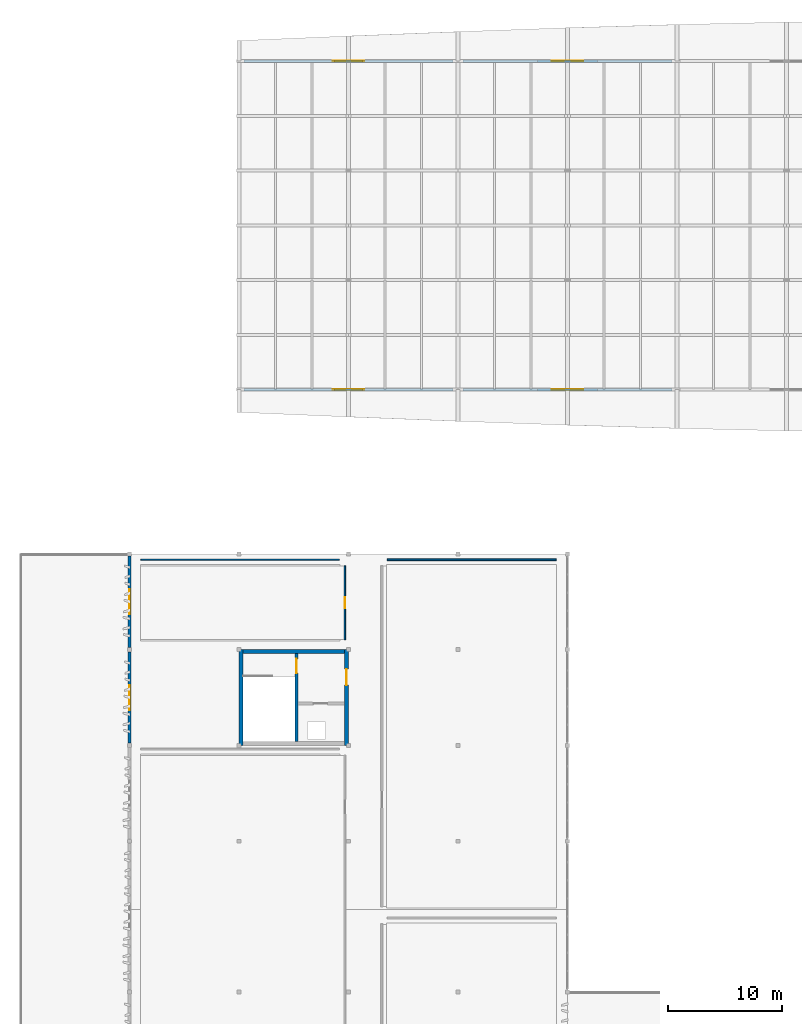
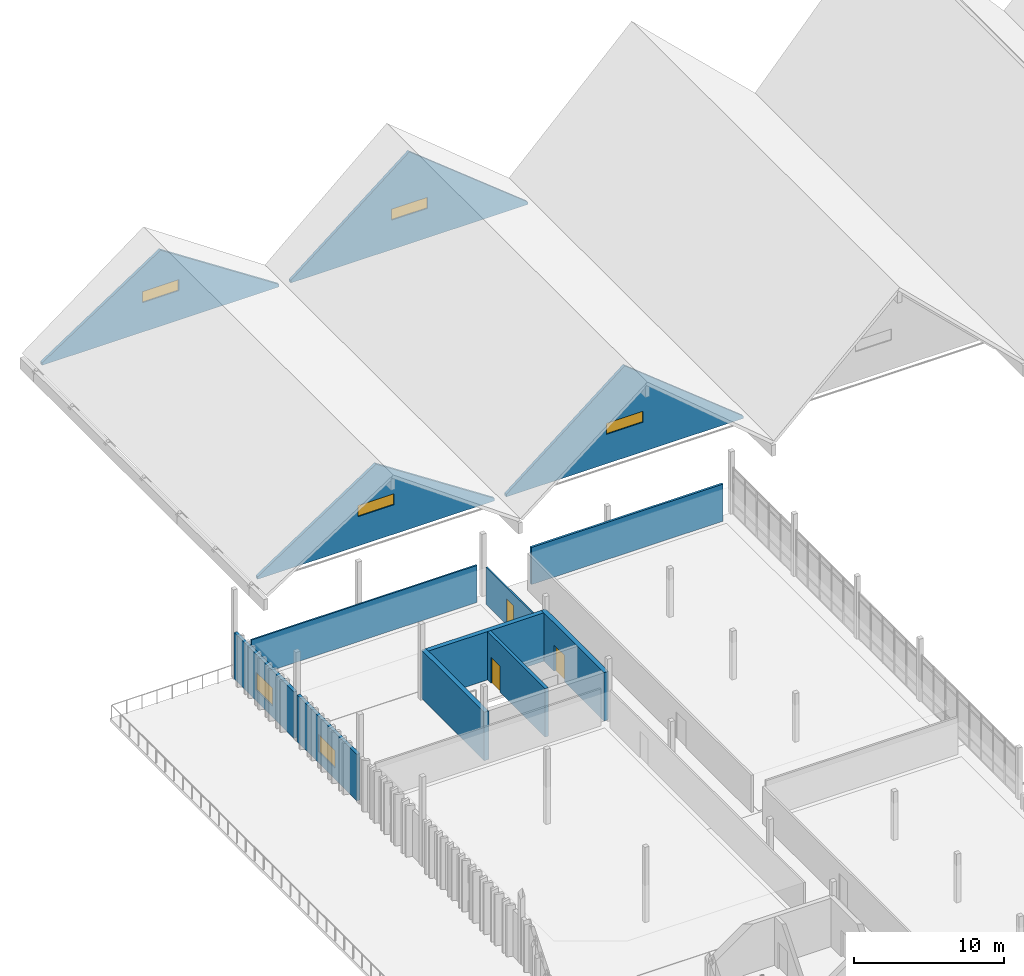
# One storey, part 33 of 42: 13 walls, 6 windows, 3 doors, 9 openings.
"""IFC4 building model written with IfcOpenShell, lengths in metres."""

from ifc_helpers import new_model, si_unit, direction, frame, frame_2d, origin, place, context, subcontext, project, spatial, polyline, rectangle, outline, extrude, material, layer, layer_set, type_object, element, fill, save


model = new_model("IFC4")

# Units and contexts
model_context = context("Model", 3, precision=1e-05, world=origin(), true_north=direction((0.0, 1.0)))
body_context = subcontext(model_context, "Body", "Model", "MODEL_VIEW")
ifc_project = project(units=[si_unit("LENGTHUNIT", "METRE"), si_unit("AREAUNIT", "SQUARE_METRE"), si_unit("VOLUMEUNIT", "CUBIC_METRE"), si_unit("PLANEANGLEUNIT", "RADIAN"), si_unit("MASSUNIT", "GRAM", prefix="KILO")], contexts=[model_context])

# Site, building, storey
site_placement = place(None, origin())
site = spatial("IfcSite", under=ifc_project, at=site_placement, CompositionType="ELEMENT")
building_placement = place(site_placement, origin())
building = spatial("IfcBuilding", under=site, at=building_placement, Name="Kolvemor Railside Polytechnic", CompositionType="ELEMENT")
storey_placement = place(building_placement, frame((0.0, 0.0, 14.39990234375)))
storey = spatial("IfcBuildingStorey", under=building, at=storey_placement, Name="L03", CompositionType="ELEMENT", Elevation=14.39990234375)

# Walls
ifc_material_1 = material(Name="Concrete C40/50", Category="concrete")
ifc_layer_1 = layer(ifc_material_1, 0.35009765625, Name="WL-CORE-350")
ifc_layer_set_1 = layer_set([ifc_layer_1], Name="Concrete C40/50")
wall_type_1 = type_object("IfcWallType", Name="WL-CORE-350", PredefinedType="SHEAR", material=ifc_layer_set_1)
wall_1_placement = place(storey_placement, frame((19.199951171875, 68.22509765625, 0.0), z_axis=(0.0, 0.0, 1.0), x_axis=(1.0, 0.0, 0.0)))
element("IfcWall", 1, at=wall_1_placement, inside=storey, type_object=wall_type_1, Name="CORE-5 North Core Wall L03", PredefinedType="SHEAR", context=body_context, shape_type="SweptSolid", body=[
    extrude(rectangle(XDim=9.60009765625, YDim=0.35009765625, at=frame_2d((4.800048828125, 0.0))), origin(), (0.0, 0.0, 1.0), 3.9501953125),
])
wall_2_placement = place(storey_placement, frame((19.375, 60.0, 0.0), z_axis=(0.0, 0.0, 1.0), x_axis=(0.0, 1.0, 0.0)))
element("IfcWall", 2, at=wall_2_placement, inside=storey, type_object=wall_type_1, Name="CORE-5 West Core Wall L03", PredefinedType="SHEAR", context=body_context, shape_type="SweptSolid", body=[
    extrude(rectangle(XDim=8.39990234375, YDim=0.35009765625, at=frame_2d((4.199951171875, 0.0))), origin(), (0.0, 0.0, 1.0), 3.9501953125),
])

# Wall, opening, door
wall_3_placement = place(storey_placement, frame((28.625, 60.0, 0.0), z_axis=(0.0, 0.0, 1.0), x_axis=(0.0, 1.0, 0.0)))
wall_3 = element("IfcWall", 3, at=wall_3_placement, inside=storey, type_object=wall_type_1, Name="CORE-5 East Core Wall L03", PredefinedType="SHEAR", context=body_context, shape_type="SweptSolid", body=[
    extrude(rectangle(XDim=8.39990234375, YDim=0.35009765625, at=frame_2d((4.199951171875, 0.0))), origin(), (0.0, 0.0, 1.0), 3.9501953125),
])
opening_1_placement = place(wall_3_placement, frame((5.300048828125, 0.0, 0.0)))
opening_1 = element("IfcOpeningElement", 4, at=opening_1_placement, cuts=wall_3, Name="Opening D-LOB-5-L03", PredefinedType="OPENING", context=body_context, shape_type="SweptSolid", body=[
    extrude(rectangle(XDim=1.39990234375, YDim=2.14990234375, at=frame_2d((0.699951171875, 1.074951171875))), frame((0.0, 0.18505859375, 0.0), z_axis=(0.0, -1.0, 0.0), x_axis=(1.0, 0.0, 0.0)), (0.0, 0.0, 1.0), 0.3701171875),
])
ifc_material_2 = material(Name="Fire-rated hardwood and brushed stainless-steel door", Category="steel")
door_type_1 = type_object("IfcDoorType", Name="DR-FD60-140x215", OperationType="NOTDEFINED", PredefinedType="DOOR", material=ifc_material_2)
door_1_placement = place(opening_1_placement, origin())
door_1 = element("IfcDoor", 5, at=door_1_placement, inside=storey, type_object=door_type_1, Name="Core Lobby Fire Door CORE-5 L03", OperationType="SINGLE_SWING_RIGHT", OverallHeight=2.14990234375, OverallWidth=1.39990234375, PredefinedType="DOOR", context=body_context, shape_type="SweptSolid", body=[
    extrude(rectangle(XDim=1.39990234375, YDim=2.14990234375, at=frame_2d((0.699951171875, 1.074951171875))), frame((0.0, 0.02490234375, 0.0), z_axis=(0.0, -1.0, 0.0), x_axis=(1.0, 0.0, 0.0)), (0.0, 0.0, 1.0), 0.050048828125),
])
fill(opening_1, door_1)

# Wall, opening, window
ifc_material_3 = material(Name="Cross-laminated timber CLT E1", Category="wood")
ifc_layer_2 = layer(ifc_material_3, 0.22998046875, Name="WL-EXT-GABLE")
ifc_layer_set_2 = layer_set([ifc_layer_2], Name="Cross-laminated timber CLT E1")
wall_type_2 = type_object("IfcWallType", Name="WL-EXT-GABLE", PredefinedType="SOLIDWALL", material=ifc_layer_set_2)
wall_4_placement = place(storey_placement, frame((19.64990234375, 120.0, -4.199951171875), z_axis=(0.0, 0.0, 1.0), x_axis=(1.0, 0.0, 0.0)))
wall_4 = element("IfcWall", 6, at=wall_4_placement, inside=storey, type_object=wall_type_2, Name="Folded-Plate Gable Clerestory Wall N-1", PredefinedType="SOLIDWALL", context=body_context, shape_type="SweptSolid", body=[
    extrude(outline(polyline([(0.0, 0.0), (18.300048828125, 0.0), (18.300048828125, 0.199951171875), (9.14990234375, 6.199951171875), (0.0, 0.199951171875), (0.0, 0.0)])), frame((0.0, 0.114990234375, 0.0), z_axis=(0.0, -1.0, 0.0), x_axis=(1.0, 0.0, 0.0)), (0.0, 0.0, 1.0), 0.22998046875),
])
opening_2_placement = place(wall_4_placement, frame((7.75, 0.0, 2.39990234375)))
opening_2 = element("IfcOpeningElement", 7, at=opening_2_placement, cuts=wall_4, Name="Opening WN-CLR2", PredefinedType="OPENING", context=body_context, shape_type="SweptSolid", body=[
    extrude(rectangle(XDim=2.800048828125, YDim=0.89990234375, at=frame_2d((1.39990234375, 0.449951171875))), frame((0.0, 0.125, 0.0), z_axis=(0.0, -1.0, 0.0), x_axis=(1.0, 0.0, 0.0)), (0.0, 0.0, 1.0), 0.25),
])
ifc_material_4 = material(Name="Hurricane-laminated thermally broken aluminium window", Category="aluminium")
window_type_1 = type_object("IfcWindowType", Name="WN-CLR-280x090", PartitioningType="DOUBLE_PANEL_VERTICAL", PredefinedType="WINDOW", material=ifc_material_4)
window_1_placement = place(opening_2_placement, origin())
window_1 = element("IfcWindow", 8, at=window_1_placement, inside=storey, type_object=window_type_1, Name="Folded-Plate Gable Clerestory Window N-1", OverallHeight=0.89990234375, OverallWidth=2.800048828125, PartitioningType="SINGLE_PANEL", PredefinedType="WINDOW", context=body_context, shape_type="SweptSolid", body=[
    extrude(rectangle(XDim=2.800048828125, YDim=0.89990234375, at=frame_2d((1.39990234375, 0.449951171875))), frame((0.0, 0.030029296875, 0.0), z_axis=(0.0, -1.0, 0.0), x_axis=(1.0, 0.0, 0.0)), (0.0, 0.0, 1.0), 0.06005859375),
])
fill(opening_2, window_1)

wall_5_placement = place(storey_placement, frame((19.64990234375, 91.199951171875, -4.199951171875), z_axis=(0.0, 0.0, 1.0), x_axis=(1.0, 0.0, 0.0)))
wall_5 = element("IfcWall", 9, at=wall_5_placement, inside=storey, type_object=wall_type_2, Name="Folded-Plate Gable Clerestory Wall S-1", PredefinedType="SOLIDWALL", context=body_context, shape_type="SweptSolid", body=[
    extrude(outline(polyline([(0.0, 0.0), (18.300048828125, 0.0), (18.300048828125, 0.199951171875), (9.14990234375, 6.199951171875), (0.0, 0.199951171875), (0.0, 0.0)])), frame((0.0, 0.114990234375, 0.0), z_axis=(0.0, -1.0, 0.0), x_axis=(1.0, 0.0, 0.0)), (0.0, 0.0, 1.0), 0.22998046875),
])
opening_3_placement = place(wall_5_placement, frame((7.75, 0.0, 2.39990234375)))
opening_3 = element("IfcOpeningElement", 10, at=opening_3_placement, cuts=wall_5, Name="Opening WN-CLR2", PredefinedType="OPENING", context=body_context, shape_type="SweptSolid", body=[
    extrude(rectangle(XDim=2.800048828125, YDim=0.89990234375, at=frame_2d((1.39990234375, 0.449951171875))), frame((0.0, 0.125, 0.0), z_axis=(0.0, -1.0, 0.0), x_axis=(1.0, 0.0, 0.0)), (0.0, 0.0, 1.0), 0.25),
])
window_2_placement = place(opening_3_placement, origin())
window_2 = element("IfcWindow", 11, at=window_2_placement, inside=storey, type_object=window_type_1, Name="Folded-Plate Gable Clerestory Window S-1", OverallHeight=0.89990234375, OverallWidth=2.800048828125, PartitioningType="SINGLE_PANEL", PredefinedType="WINDOW", context=body_context, shape_type="SweptSolid", body=[
    extrude(rectangle(XDim=2.800048828125, YDim=0.89990234375, at=frame_2d((1.39990234375, 0.449951171875))), frame((0.0, 0.030029296875, 0.0), z_axis=(0.0, -1.0, 0.0), x_axis=(1.0, 0.0, 0.0)), (0.0, 0.0, 1.0), 0.06005859375),
])
fill(opening_3, window_2)

wall_6_placement = place(storey_placement, frame((38.85009765625, 120.0, -4.199951171875), z_axis=(0.0, 0.0, 1.0), x_axis=(1.0, 0.0, 0.0)))
wall_6 = element("IfcWall", 12, at=wall_6_placement, inside=storey, type_object=wall_type_2, Name="Folded-Plate Gable Clerestory Wall N-2", PredefinedType="SOLIDWALL", context=body_context, shape_type="SweptSolid", body=[
    extrude(outline(polyline([(0.0, 0.0), (18.2998046875, 0.0), (18.300048828125, 0.199951171875), (9.14990234375, 7.5), (0.0, 0.199951171875), (0.0, 0.0)])), frame((0.0, 0.114990234375, 0.0), z_axis=(0.0, -1.0, 0.0), x_axis=(1.0, 0.0, 0.0)), (0.0, 0.0, 1.0), 0.22998046875),
])
opening_4_placement = place(wall_6_placement, frame((7.75, 0.0, 2.39990234375)))
opening_4 = element("IfcOpeningElement", 13, at=opening_4_placement, cuts=wall_6, Name="Opening WN-CLR2", PredefinedType="OPENING", context=body_context, shape_type="SweptSolid", body=[
    extrude(rectangle(XDim=2.800048828125, YDim=0.89990234375, at=frame_2d((1.39990234375, 0.449951171875))), frame((0.0, 0.125, 0.0), z_axis=(0.0, -1.0, 0.0), x_axis=(1.0, 0.0, 0.0)), (0.0, 0.0, 1.0), 0.25),
])
window_3_placement = place(opening_4_placement, origin())
window_3 = element("IfcWindow", 14, at=window_3_placement, inside=storey, type_object=window_type_1, Name="Folded-Plate Gable Clerestory Window N-2", OverallHeight=0.89990234375, OverallWidth=2.800048828125, PartitioningType="SINGLE_PANEL", PredefinedType="WINDOW", context=body_context, shape_type="SweptSolid", body=[
    extrude(rectangle(XDim=2.800048828125, YDim=0.89990234375, at=frame_2d((1.39990234375, 0.449951171875))), frame((0.0, 0.030029296875, 0.0), z_axis=(0.0, -1.0, 0.0), x_axis=(1.0, 0.0, 0.0)), (0.0, 0.0, 1.0), 0.06005859375),
])
fill(opening_4, window_3)

wall_7_placement = place(storey_placement, frame((38.85009765625, 91.199951171875, -4.199951171875), z_axis=(0.0, 0.0, 1.0), x_axis=(1.0, 0.0, 0.0)))
wall_7 = element("IfcWall", 15, at=wall_7_placement, inside=storey, type_object=wall_type_2, Name="Folded-Plate Gable Clerestory Wall S-2", PredefinedType="SOLIDWALL", context=body_context, shape_type="SweptSolid", body=[
    extrude(outline(polyline([(0.0, 0.0), (18.2998046875, 0.0), (18.300048828125, 0.199951171875), (9.14990234375, 7.5), (0.0, 0.199951171875), (0.0, 0.0)])), frame((0.0, 0.114990234375, 0.0), z_axis=(0.0, -1.0, 0.0), x_axis=(1.0, 0.0, 0.0)), (0.0, 0.0, 1.0), 0.22998046875),
])
opening_5_placement = place(wall_7_placement, frame((7.75, 0.0, 2.39990234375)))
opening_5 = element("IfcOpeningElement", 16, at=opening_5_placement, cuts=wall_7, Name="Opening WN-CLR2", PredefinedType="OPENING", context=body_context, shape_type="SweptSolid", body=[
    extrude(rectangle(XDim=2.800048828125, YDim=0.89990234375, at=frame_2d((1.39990234375, 0.449951171875))), frame((0.0, 0.125, 0.0), z_axis=(0.0, -1.0, 0.0), x_axis=(1.0, 0.0, 0.0)), (0.0, 0.0, 1.0), 0.25),
])
window_4_placement = place(opening_5_placement, origin())
window_4 = element("IfcWindow", 17, at=window_4_placement, inside=storey, type_object=window_type_1, Name="Folded-Plate Gable Clerestory Window S-2", OverallHeight=0.89990234375, OverallWidth=2.800048828125, PartitioningType="SINGLE_PANEL", PredefinedType="WINDOW", context=body_context, shape_type="SweptSolid", body=[
    extrude(rectangle(XDim=2.800048828125, YDim=0.89990234375, at=frame_2d((1.39990234375, 0.449951171875))), frame((0.0, 0.030029296875, 0.0), z_axis=(0.0, -1.0, 0.0), x_axis=(1.0, 0.0, 0.0)), (0.0, 0.0, 1.0), 0.06005859375),
])
fill(opening_5, window_4)

ifc_material_5 = material(Name="Cross-laminated timber CLT E1", Category="wood")
ifc_layer_3 = layer(ifc_material_5, 0.239990234375, Name="WL-EXT-TM-240")
ifc_layer_set_3 = layer_set([ifc_layer_3], Name="Cross-laminated timber CLT E1")
wall_type_3 = type_object("IfcWallType", Name="WL-EXT-TM-240", PredefinedType="SOLIDWALL", material=ifc_layer_set_3)
wall_8_placement = place(storey_placement, frame((9.60009765625, 68.199951171875, 0.0), z_axis=(0.0, 0.0, 1.0), x_axis=(0.0, -1.0, 0.0)))
wall_8 = element("IfcWall", 18, at=wall_8_placement, inside=storey, type_object=wall_type_3, Name="Exterior Wall L03-0070", PredefinedType="SOLIDWALL", context=body_context, shape_type="SweptSolid", body=[
    extrude(rectangle(XDim=8.0, YDim=0.239990234375, at=frame_2d((4.0, 0.0))), origin(), (0.0, 0.0, 1.0), 3.800048828125),
])
opening_6_placement = place(wall_8_placement, frame((2.89990234375, 0.0, 0.89990234375)))
opening_6 = element("IfcOpeningElement", 19, at=opening_6_placement, cuts=wall_8, Name="Opening WN-SEM3", PredefinedType="OPENING", context=body_context, shape_type="SweptSolid", body=[
    extrude(rectangle(XDim=2.199951171875, YDim=1.449951171875, at=frame_2d((1.10009765625, 0.72509765625))), frame((0.0, 0.1298828125, 0.0), z_axis=(0.0, -1.0, 0.0), x_axis=(1.0, 0.0, 0.0)), (0.0, 0.0, 1.0), 0.260009765625),
])
ifc_material_6 = material(Name="Hurricane-laminated thermally broken aluminium window", Category="aluminium")
window_type_2 = type_object("IfcWindowType", Name="WN-SEM-220x145", PartitioningType="DOUBLE_PANEL_VERTICAL", PredefinedType="WINDOW", material=ifc_material_6)
window_5_placement = place(opening_6_placement, origin())
window_5 = element("IfcWindow", 20, at=window_5_placement, inside=storey, type_object=window_type_2, Name="Window L03-0072", OverallHeight=1.449951171875, OverallWidth=2.199951171875, PartitioningType="SINGLE_PANEL", PredefinedType="WINDOW", context=body_context, shape_type="SweptSolid", body=[
    extrude(rectangle(XDim=2.199951171875, YDim=1.449951171875, at=frame_2d((1.10009765625, 0.72509765625))), frame((0.0, 0.030029296875, 0.0), z_axis=(0.0, -1.0, 0.0), x_axis=(1.0, 0.0, 0.0)), (0.0, 0.0, 1.0), 0.06005859375),
])
fill(opening_6, window_5)

wall_9_placement = place(storey_placement, frame((9.60009765625, 76.60009765625, 0.0), z_axis=(0.0, 0.0, 1.0), x_axis=(0.0, -1.0, 0.0)))
wall_9 = element("IfcWall", 21, at=wall_9_placement, inside=storey, type_object=wall_type_3, Name="Exterior Wall L03-0077", PredefinedType="SOLIDWALL", context=body_context, shape_type="SweptSolid", body=[
    extrude(rectangle(XDim=8.0, YDim=0.239990234375, at=frame_2d((4.0, 0.0))), origin(), (0.0, 0.0, 1.0), 3.800048828125),
])
opening_7_placement = place(wall_9_placement, frame((2.89990234375, 0.0, 0.89990234375)))
opening_7 = element("IfcOpeningElement", 22, at=opening_7_placement, cuts=wall_9, Name="Opening WN-SEM3", PredefinedType="OPENING", context=body_context, shape_type="SweptSolid", body=[
    extrude(rectangle(XDim=2.199951171875, YDim=1.449951171875, at=frame_2d((1.10009765625, 0.72509765625))), frame((0.0, 0.1298828125, 0.0), z_axis=(0.0, -1.0, 0.0), x_axis=(1.0, 0.0, 0.0)), (0.0, 0.0, 1.0), 0.260009765625),
])
window_6_placement = place(opening_7_placement, origin())
window_6 = element("IfcWindow", 23, at=window_6_placement, inside=storey, type_object=window_type_2, Name="Window L03-0081", OverallHeight=1.449951171875, OverallWidth=2.199951171875, PartitioningType="SINGLE_PANEL", PredefinedType="WINDOW", context=body_context, shape_type="SweptSolid", body=[
    extrude(rectangle(XDim=2.199951171875, YDim=1.449951171875, at=frame_2d((1.10009765625, 0.72509765625))), frame((0.0, 0.030029296875, 0.0), z_axis=(0.0, -1.0, 0.0), x_axis=(1.0, 0.0, 0.0)), (0.0, 0.0, 1.0), 0.06005859375),
])
fill(opening_7, window_6)

# Wall, opening, door
ifc_material_7 = material(Name="Wet-area tile-backer partition")
ifc_layer_4 = layer(ifc_material_7, 0.1201171875, Name="WL-PART-120")
ifc_layer_set_4 = layer_set([ifc_layer_4], Name="Wet-area tile-backer partition")
wall_type_4 = type_object("IfcWallType", Name="WL-PART-120", PredefinedType="PARTITIONING", material=ifc_layer_set_4)
wall_10_placement = place(storey_placement, frame((28.47998046875, 69.25, 0.0), z_axis=(0.0, 0.0, 1.0), x_axis=(0.0, 1.0, 0.0)))
wall_10 = element("IfcWall", 24, at=wall_10_placement, inside=storey, type_object=wall_type_4, Name="Partition Wall L03-0174", PredefinedType="PARTITIONING", context=body_context, shape_type="SweptSolid", body=[
    extrude(rectangle(XDim=6.5, YDim=0.1201171875, at=frame_2d((3.25, 0.0))), origin(), (0.0, 0.0, 1.0), 3.030029296875),
])
opening_8_placement = place(wall_10_placement, frame((2.77490234375, 0.0, 0.0)))
opening_8 = element("IfcOpeningElement", 25, at=opening_8_placement, cuts=wall_10, Name="Opening D-03098", PredefinedType="OPENING", context=body_context, shape_type="SweptSolid", body=[
    extrude(rectangle(XDim=0.949951171875, YDim=2.10009765625, at=frame_2d((0.47509765625, 1.050048828125))), frame((0.0, 0.070068359375, 0.0), z_axis=(0.0, -1.0, 0.0), x_axis=(1.0, 0.0, 0.0)), (0.0, 0.0, 1.0), 0.14013671875),
])
ifc_material_8 = material(Name="Solid hardwood acoustic door", Category="wood")
door_type_2 = type_object("IfcDoorType", Name="DR-WC-095x210", OperationType="NOTDEFINED", PredefinedType="DOOR", material=ifc_material_8)
door_2_placement = place(opening_8_placement, origin())
door_2 = element("IfcDoor", 26, at=door_2_placement, inside=storey, type_object=door_type_2, Name="Room Door D-03098 (West Seminar Public and Accessible WC L03)", OperationType="SINGLE_SWING_LEFT", OverallHeight=2.10009765625, OverallWidth=0.949951171875, PredefinedType="DOOR", context=body_context, shape_type="SweptSolid", body=[
    extrude(rectangle(XDim=0.949951171875, YDim=2.10009765625, at=frame_2d((0.47509765625, 1.050048828125))), frame((0.0, 0.02490234375, 0.0), z_axis=(0.0, -1.0, 0.0), x_axis=(1.0, 0.0, 0.0)), (0.0, 0.0, 1.0), 0.050048828125),
])
fill(opening_8, door_2)

# Walls
wall_11_placement = place(storey_placement, frame((10.60009765625, 76.280029296875, 0.0), z_axis=(0.0, 0.0, 1.0), x_axis=(1.0, 0.0, 0.0)))
element("IfcWall", 27, at=wall_11_placement, inside=storey, type_object=wall_type_4, Name="Demising Partition L03-0175", PredefinedType="PARTITIONING", context=body_context, shape_type="SweptSolid", body=[
    extrude(rectangle(XDim=17.39990234375, YDim=0.1201171875, at=frame_2d((8.699951171875, 0.0))), origin(), (0.0, 0.0, 1.0), 3.030029296875),
])
ifc_material_9 = material(Name="Fire-rated laboratory corridor partition")
ifc_layer_5 = layer(ifc_material_9, 0.1650390625, Name="WL-PART-165")
ifc_layer_set_5 = layer_set([ifc_layer_5], Name="Fire-rated laboratory corridor partition")
wall_type_5 = type_object("IfcWallType", Name="WL-PART-165", PredefinedType="PARTITIONING", material=ifc_layer_set_5)
wall_12_placement = place(storey_placement, frame((32.199951171875, 76.280029296875, 0.0), z_axis=(0.0, 0.0, 1.0), x_axis=(1.0, 0.0, 0.0)))
element("IfcWall", 28, at=wall_12_placement, inside=storey, type_object=wall_type_5, Name="Demising Partition L03-0173", PredefinedType="PARTITIONING", context=body_context, shape_type="SweptSolid", body=[
    extrude(rectangle(XDim=14.800048828125, YDim=0.1650390625, at=frame_2d((7.39990234375, 0.0))), origin(), (0.0, 0.0, 1.0), 3.030029296875),
])

# Wall, opening, door
ifc_material_10 = material(Name="Concrete C40/50", Category="concrete")
ifc_layer_6 = layer(ifc_material_10, 0.25, Name="WL-SHFT-250")
ifc_layer_set_6 = layer_set([ifc_layer_6], Name="Concrete C40/50")
wall_type_6 = type_object("IfcWallType", Name="WL-SHFT-250", PredefinedType="SHEAR", material=ifc_layer_set_6)
wall_13_placement = place(storey_placement, frame((24.22509765625, 68.050048828125, 0.0), z_axis=(0.0, 0.0, 1.0), x_axis=(0.0, -1.0, 0.0)))
wall_13 = element("IfcWall", 29, at=wall_13_placement, inside=storey, type_object=wall_type_6, Name="CORE-5 Stair-Lobby Divider Wall L03", PredefinedType="SHEAR", context=body_context, shape_type="SweptSolid", body=[
    extrude(rectangle(XDim=7.699951171875, YDim=0.25, at=frame_2d((3.85009765625, 0.0))), origin(), (0.0, 0.0, 1.0), 3.9501953125),
])
opening_9_placement = place(wall_13_placement, frame((0.449951171875, 0.0, 0.0)))
opening_9 = element("IfcOpeningElement", 30, at=opening_9_placement, cuts=wall_13, Name="Opening D-ST-5-L03", PredefinedType="OPENING", context=body_context, shape_type="SweptSolid", body=[
    extrude(rectangle(XDim=1.25, YDim=2.14990234375, at=frame_2d((0.625, 1.074951171875))), frame((0.0, 0.135009765625, 0.0), z_axis=(0.0, -1.0, 0.0), x_axis=(1.0, 0.0, 0.0)), (0.0, 0.0, 1.0), 0.27001953125),
])
ifc_material_11 = material(Name="Fire-rated hardwood and brushed stainless-steel door", Category="steel")
door_type_3 = type_object("IfcDoorType", Name="DR-FD90-125x215", OperationType="NOTDEFINED", PredefinedType="DOOR", material=ifc_material_11)
door_3_placement = place(opening_9_placement, origin())
door_3 = element("IfcDoor", 31, at=door_3_placement, inside=storey, type_object=door_type_3, Name="Stair Fire Door ST-5 L03", OperationType="SINGLE_SWING_RIGHT", OverallHeight=2.14990234375, OverallWidth=1.25, PredefinedType="DOOR", context=body_context, shape_type="SweptSolid", body=[
    extrude(rectangle(XDim=1.25, YDim=2.14990234375, at=frame_2d((0.625, 1.074951171875))), frame((0.0, 0.02490234375, 0.0), z_axis=(0.0, -1.0, 0.0), x_axis=(1.0, 0.0, 0.0)), (0.0, 0.0, 1.0), 0.050048828125),
])
fill(opening_9, door_3)

save(model, "model.ifc")
